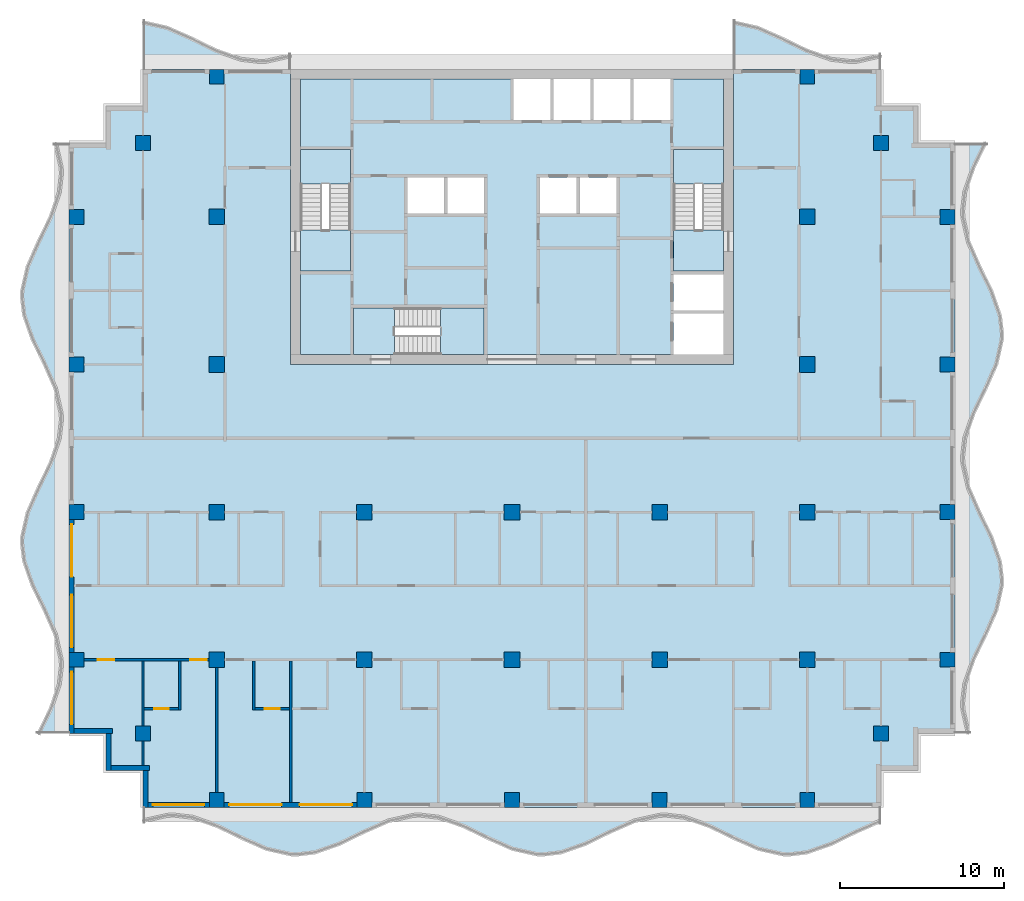
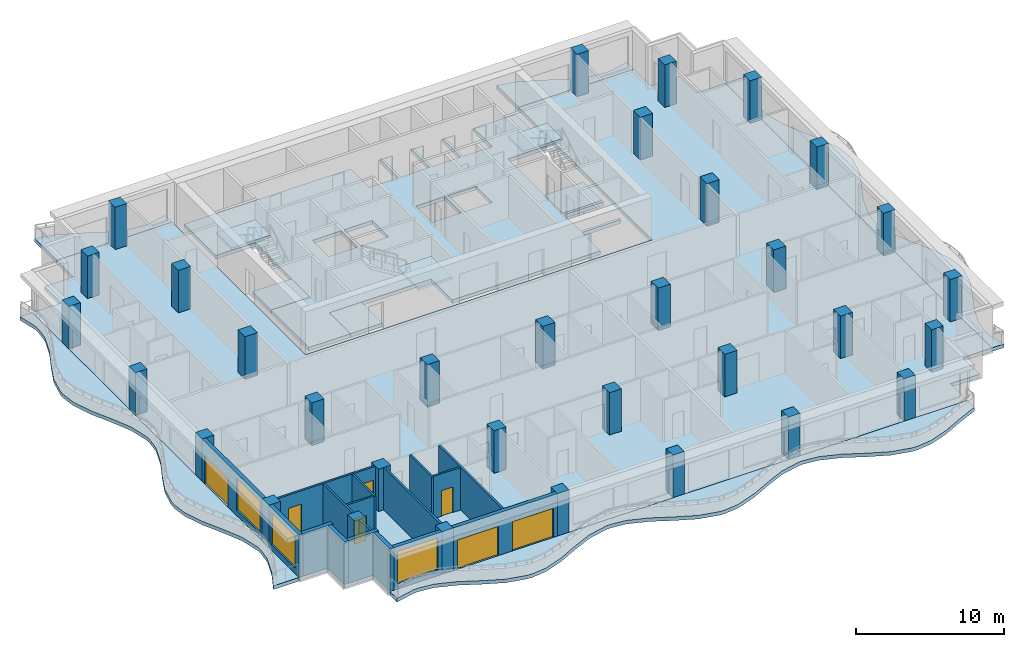
# One storey, part 1 of 11: 33 columns, 17 walls, 13 slabs, 7 doors, 3 windows, 10 openings, 3 elements without a shape of their own.
"""IFC4 building model written with IfcOpenShell, lengths in metres."""

from ifc_helpers import new_model, si_unit, direction, frame, frame_2d, origin, origin_2d, place, context, subcontext, project, spatial, polyline, rectangle, outline, extrude, material, layer, layer_set, material_profile, profile_set, type_object, element, fill, aggregate, save


model = new_model("IFC4")

# Units and contexts
model_context = context("Model", 3, precision=1e-05, world=origin(), true_north=direction((0.0, 1.0)))
body_context = subcontext(model_context, "Body", "Model", "MODEL_VIEW")
ifc_project = project(units=[si_unit("LENGTHUNIT", "METRE"), si_unit("AREAUNIT", "SQUARE_METRE"), si_unit("VOLUMEUNIT", "CUBIC_METRE"), si_unit("PLANEANGLEUNIT", "RADIAN"), si_unit("MASSUNIT", "GRAM", prefix="KILO")], contexts=[model_context])

# Site, building, storey
site_placement = place(None, origin())
site = spatial("IfcSite", under=ifc_project, at=site_placement, CompositionType="ELEMENT")
building_placement = place(site_placement, origin())
building = spatial("IfcBuilding", under=site, at=building_placement, Name="Orbiselva Terraces", CompositionType="ELEMENT")
storey_placement = place(building_placement, frame((0.0, 0.0, 261.6)))
storey = spatial("IfcBuildingStorey", under=building, at=storey_placement, Name="L66", CompositionType="ELEMENT", Elevation=261.6)

# Columns
ifc_material_1 = material(Name="Concrete C50/60", Category="concrete")
ifc_material_profile_1 = material_profile(ifc_material_1, rectangle(XDim=0.95, YDim=0.95, at=origin_2d()), Name="RC 950x950")
ifc_profile_set_1 = profile_set([ifc_material_profile_1], Name="Concrete C50/60")
column_type_1 = type_object("IfcColumnType", Name="COLUMN RC 950x950", PredefinedType="COLUMN", material=ifc_profile_set_1)
for number, where, z_axis, x_axis, name in (
    (1, (-18.0, -13.5, 0.0), (0.0, 0.0, 1.0), (1.0, 0.0, 0.0), "Column L66-01"),
    (2, (-18.0, -4.5, 0.0), (0.0, 0.0, 1.0), (1.0, 0.0, 0.0), "Column L66-03"),
    (3, (-18.0, 13.5, 0.0), (0.0, 0.0, 1.0), (1.0, 0.0, 0.0), "Column L66-04"),
    (4, (-18.0, 4.5, 0.0), (0.0, 0.0, 1.0), (1.0, 0.0, 0.0), "Column L66-06"),
    (5, (-9.0, -13.5, 0.0), (0.0, 0.0, 1.0), (1.0, 0.0, 0.0), "Column L66-13"),
    (6, (-9.0, -4.5, 0.0), (0.0, 0.0, 1.0), (1.0, 0.0, 0.0), "Column L66-15"),
    (7, (0.0, -13.5, 0.0), (0.0, 0.0, 1.0), (1.0, 0.0, 0.0), "Column L66-16"),
    (8, (0.0, -4.5, 0.0), (0.0, 0.0, 1.0), (1.0, 0.0, 0.0), "Column L66-18"),
    (9, (18.0, -13.5, 0.0), (0.0, 0.0, 1.0), (1.0, 0.0, 0.0), "Column L66-19"),
    (10, (18.0, -4.5, 0.0), (0.0, 0.0, 1.0), (1.0, 0.0, 0.0), "Column L66-21"),
    (11, (18.0, 13.5, 0.0), (0.0, 0.0, 1.0), (1.0, 0.0, 0.0), "Column L66-22"),
    (12, (18.0, 4.5, 0.0), (0.0, 0.0, 1.0), (1.0, 0.0, 0.0), "Column L66-24"),
    (13, (9.0, -13.5, 0.0), (0.0, 0.0, 1.0), (1.0, 0.0, 0.0), "Column L66-31"),
    (14, (9.0, -4.5, 0.0), (0.0, 0.0, 1.0), (1.0, 0.0, 0.0), "Column L66-33"),
):
    element("IfcColumn", number, at=place(storey_placement, frame(where, z_axis=z_axis, x_axis=x_axis)), inside=storey, type_object=column_type_1, Name=name, PredefinedType="COLUMN", context=body_context, shape_type="SweptSolid", body=[
        extrude(rectangle(XDim=0.95, YDim=0.95, at=origin_2d()), origin(), (0.0, 0.0, 1.0), 3.5),
    ])
ifc_material_profile_2 = material_profile(ifc_material_1, rectangle(XDim=0.9, YDim=0.9, at=origin_2d()), Name="RC 900x900")
ifc_profile_set_2 = profile_set([ifc_material_profile_2], Name="Concrete C50/60")
column_type_2 = type_object("IfcColumnType", Name="PERIMETER COLUMN RC 900x900", PredefinedType="COLUMN", material=ifc_profile_set_2)
for number, where, z_axis, x_axis, name in (
    (15, (-18.0, -22.05, 0.0), (0.0, 0.0, 1.0), (1.0, 0.0, 0.0), "Column L66-02"),
    (16, (-18.0, 22.05, 0.0), (0.0, 0.0, 1.0), (1.0, 0.0, 0.0), "Column L66-05"),
    (17, (-26.55, -13.5, 0.0), (0.0, 0.0, 1.0), (1.0, 0.0, 0.0), "Column L66-07"),
    (18, (-22.5, -18.0, 0.0), (0.0, 0.0, 1.0), (1.0, 0.0, 0.0), "Column L66-08"),
    (19, (-26.55, -4.5, 0.0), (0.0, 0.0, 1.0), (1.0, 0.0, 0.0), "Column L66-09"),
    (20, (-26.55, 13.5, 0.0), (0.0, 0.0, 1.0), (1.0, 0.0, 0.0), "Column L66-10"),
    (21, (-22.5, 18.0, 0.0), (0.0, 0.0, 1.0), (1.0, 0.0, 0.0), "Column L66-11"),
    (22, (-26.55, 4.5, 0.0), (0.0, 0.0, 1.0), (1.0, 0.0, 0.0), "Column L66-12"),
    (23, (-9.0, -22.05, 0.0), (0.0, 0.0, 1.0), (1.0, 0.0, 0.0), "Column L66-14"),
    (24, (0.0, -22.05, 0.0), (0.0, 0.0, 1.0), (1.0, 0.0, 0.0), "Column L66-17"),
    (25, (18.0, -22.05, 0.0), (0.0, 0.0, 1.0), (1.0, 0.0, 0.0), "Column L66-20"),
    (26, (18.0, 22.05, 0.0), (0.0, 0.0, 1.0), (1.0, 0.0, 0.0), "Column L66-23"),
    (27, (26.55, -13.5, 0.0), (0.0, 0.0, 1.0), (1.0, 0.0, 0.0), "Column L66-25"),
    (28, (22.5, -18.0, 0.0), (0.0, 0.0, 1.0), (1.0, 0.0, 0.0), "Column L66-26"),
    (29, (26.55, -4.5, 0.0), (0.0, 0.0, 1.0), (1.0, 0.0, 0.0), "Column L66-27"),
    (30, (26.55, 13.5, 0.0), (0.0, 0.0, 1.0), (1.0, 0.0, 0.0), "Column L66-28"),
    (31, (22.5, 18.0, 0.0), (0.0, 0.0, 1.0), (1.0, 0.0, 0.0), "Column L66-29"),
    (32, (26.55, 4.5, 0.0), (0.0, 0.0, 1.0), (1.0, 0.0, 0.0), "Column L66-30"),
    (33, (9.0, -22.05, 0.0), (0.0, 0.0, 1.0), (1.0, 0.0, 0.0), "Column L66-32"),
):
    element("IfcColumn", number, at=place(storey_placement, frame(where, z_axis=z_axis, x_axis=x_axis)), inside=storey, type_object=column_type_2, Name=name, PredefinedType="COLUMN", context=body_context, shape_type="SweptSolid", body=[
        extrude(rectangle(XDim=0.9, YDim=0.9, at=origin_2d()), origin(), (0.0, 0.0, 1.0), 3.5),
    ])

# Slabs
ifc_material_2 = material(Name="Concrete C40/50", Category="concrete")
ifc_layer_1 = layer(ifc_material_2, 0.3)
ifc_layer_set_1 = layer_set([ifc_layer_1], Name="Concrete C40/50")
slab_type_1 = type_object("IfcSlabType", Name="CORE-SLAB-FLOOR-300", PredefinedType="FLOOR", material=ifc_layer_set_1)
slab_1_placement = place(storey_placement, frame((0.0, 0.0, -0.3)))
element("IfcSlab", 34, at=slab_1_placement, inside=storey, type_object=slab_type_1, Name="L66 S1 floor landing", PredefinedType="FLOOR", context=body_context, shape_type="SweptSolid", body=[
    extrude(outline(polyline([(-12.9, 12.7), (-9.85, 12.7), (-9.85, 10.2), (-12.9, 10.2), (-12.9, 12.7)])), origin(), (0.0, 0.0, 1.0), 0.3),
])
slab_2_placement = place(storey_placement, frame((0.0, 0.0, -0.3)))
element("IfcSlab", 35, at=slab_2_placement, inside=storey, type_object=slab_type_1, Name="L66 S2 floor landing", PredefinedType="FLOOR", context=body_context, shape_type="SweptSolid", body=[
    extrude(outline(polyline([(12.9, 12.7), (12.9, 10.2), (9.85, 10.2), (9.85, 12.7), (12.9, 12.7)])), origin(), (0.0, 0.0, 1.0), 0.3),
])
slab_3_placement = place(storey_placement, frame((0.0, 0.0, -0.3)))
element("IfcSlab", 36, at=slab_3_placement, inside=storey, type_object=slab_type_1, Name="L66 S3 floor landing", PredefinedType="FLOOR", context=body_context, shape_type="SweptSolid", body=[
    extrude(outline(polyline([(-7.15, 5.1), (-9.65, 5.1), (-9.65, 7.95), (-7.15, 7.95), (-7.15, 5.1)])), origin(), (0.0, 0.0, 1.0), 0.3),
])
slab_4_placement = place(storey_placement, frame((0.0, 0.0, -0.3)))
element("IfcSlab", 37, at=slab_4_placement, inside=storey, type_object=slab_type_1, Name="L66 core floor slab 1", PredefinedType="FLOOR", context=body_context, shape_type="SweptSolid", body=[
    extrude(outline(polyline([(-1.7, 5.1), (-1.7, 7.95), (-9.65, 7.95), (-9.65, 5.1), (-12.9, 5.1), (-12.9, 10.2), (-9.85, 10.2), (-9.85, 17.6), (-12.9, 17.6), (-12.9, 21.9), (0.1, 21.9), (0.1, 19.4), (2.3375, 19.4), (2.3375, 21.9), (2.5375, 21.9), (2.5375, 19.4), (4.775, 19.4), (4.775, 21.9), (4.975, 21.9), (4.975, 19.4), (7.2125, 19.4), (7.2125, 21.9), (7.4125, 21.9), (7.4125, 19.4), (9.65, 19.4), (9.65, 21.9), (12.9, 21.9), (12.9, 17.6), (9.85, 17.6), (9.85, 10.2), (12.9, 10.2), (12.9, 10.0), (9.85, 10.0), (9.85, 7.8), (12.9, 7.8), (12.9, 7.6), (9.85, 7.6), (9.85, 5.1), (-1.7, 5.1)]), holes=[polyline([(-4.1375, 13.7), (-4.1375, 15.9), (-6.375, 15.9), (-6.375, 13.7), (-4.1375, 13.7)]), polyline([(-1.7, 13.7), (-1.7, 15.9), (-3.9375, 15.9), (-3.9375, 13.7), (-1.7, 13.7)]), polyline([(3.9375, 15.9), (1.7, 15.9), (1.7, 13.7), (3.9375, 13.7), (3.9375, 15.9)]), polyline([(6.375, 13.7), (6.375, 15.9), (4.1375, 15.9), (4.1375, 13.7), (6.375, 13.7)])]), origin(), (0.0, 0.0, 1.0), 0.3),
])

# Stair, slab
stair_type_1 = type_object("IfcStairType", Name="CORE-STAIR-1300", PredefinedType="HALF_TURN_STAIR", material=ifc_material_2)
stair_1_placement = place(storey_placement, origin())
stair_1 = element("IfcStair", 38, at=stair_1_placement, inside=storey, type_object=stair_type_1, Name="L66 Exit Stair S1", PredefinedType="HALF_TURN_STAIR")
ifc_layer_2 = layer(ifc_material_2, 0.2)
ifc_layer_set_2 = layer_set([ifc_layer_2], Name="Concrete C40/50")
slab_type_2 = type_object("IfcSlabType", Name="CORE-STAIR-LANDING-200", PredefinedType="LANDING", material=ifc_layer_set_2)
slab_5_placement = place(storey_placement, frame((0.0, 0.0, 1.7)))
slab_5 = element("IfcSlab", 39, at=slab_5_placement, type_object=slab_type_2, Name="S1 landing 1", PredefinedType="LANDING", context=body_context, shape_type="SweptSolid", body=[
    extrude(outline(polyline([(-9.85, 15.5), (-9.85, 17.6), (-12.9, 17.6), (-12.9, 15.5), (-9.85, 15.5)])), origin(), (0.0, 0.0, 1.0), 0.2),
])
aggregate(stair_1, [slab_5])

stair_2_placement = place(storey_placement, origin())
stair_2 = element("IfcStair", 40, at=stair_2_placement, inside=storey, type_object=stair_type_1, Name="L66 Exit Stair S2", PredefinedType="HALF_TURN_STAIR")
slab_6_placement = place(storey_placement, frame((0.0, 0.0, 1.7)))
slab_6 = element("IfcSlab", 41, at=slab_6_placement, type_object=slab_type_2, Name="S2 landing 1", PredefinedType="LANDING", context=body_context, shape_type="SweptSolid", body=[
    extrude(outline(polyline([(12.9, 15.5), (12.9, 17.6), (9.85, 17.6), (9.85, 15.5), (12.9, 15.5)])), origin(), (0.0, 0.0, 1.0), 0.2),
])
aggregate(stair_2, [slab_6])

stair_type_2 = type_object("IfcStairType", Name="CORE-STAIR-1200", PredefinedType="HALF_TURN_STAIR", material=ifc_material_2)
stair_3_placement = place(storey_placement, origin())
stair_3 = element("IfcStair", 42, at=stair_3_placement, inside=storey, type_object=stair_type_2, Name="L66 Exit Stair S3", PredefinedType="HALF_TURN_STAIR")
slab_7_placement = place(storey_placement, frame((0.0, 0.0, 1.7)))
slab_7 = element("IfcSlab", 43, at=slab_7_placement, type_object=slab_type_2, Name="S3 landing 1", PredefinedType="LANDING", context=body_context, shape_type="SweptSolid", body=[
    extrude(outline(polyline([(-4.35, 5.1), (-1.7, 5.1), (-1.7, 7.95), (-4.35, 7.95), (-4.35, 5.1)])), origin(), (0.0, 0.0, 1.0), 0.2),
])
aggregate(stair_3, [slab_7])

# Slabs
ifc_layer_3 = layer(ifc_material_1, 0.3)
ifc_layer_set_3 = layer_set([ifc_layer_3], Name="Concrete C50/60")
slab_type_3 = type_object("IfcSlabType", Name="ENV-BALCONY-SLAB-300", PredefinedType="FLOOR", material=ifc_layer_set_3)
slab_8_placement = place(storey_placement, frame((0.0, 0.0, -0.3)))
element("IfcSlab", 44, at=slab_8_placement, inside=storey, type_object=slab_type_3, Name="Balcony slab L66 S", PredefinedType="FLOOR", context=body_context, shape_type="SweptSolid", body=[
    extrude(outline(polyline([(-22.5, -23.451472), (-21.0, -23.114774), (-20.625, -23.1), (-19.5, -23.230792), (-18.0, -23.755211), (-16.5, -24.487721), (-15.0, -25.148528), (-13.5, -25.485226), (-13.125, -25.5), (-12.0, -25.369208), (-10.5, -24.844789), (-9.0, -24.112279), (-7.5, -23.451472), (-6.0, -23.114774), (-5.625, -23.1), (-4.5, -23.230792), (-3.0, -23.755211), (-1.5, -24.487721), (0.0, -25.148528), (1.5, -25.485226), (1.875, -25.5), (3.0, -25.369208), (4.5, -24.844789), (6.0, -24.112279), (7.5, -23.451472), (9.0, -23.114774), (9.375, -23.1), (10.5, -23.230792), (12.0, -23.755211), (13.5, -24.487721), (15.0, -25.148528), (16.5, -25.485226), (16.875, -25.5), (18.0, -25.369208), (19.5, -24.844789), (21.0, -24.112279), (22.5, -23.451472), (22.5, -22.5), (-22.5, -22.5), (-22.5, -23.451472)])), origin(), (0.0, 0.0, 1.0), 0.3),
])
slab_9_placement = place(storey_placement, frame((0.0, 0.0, -0.3)))
element("IfcSlab", 45, at=slab_9_placement, inside=storey, type_object=slab_type_3, Name="Balcony slab L66 E", PredefinedType="FLOOR", context=body_context, shape_type="SweptSolid", body=[
    extrude(outline(polyline([(27.951472, -18.0), (27.614774, -16.5), (27.6, -16.125), (27.730792, -15.0), (28.255211, -13.5), (28.987721, -12.0), (29.648528, -10.5), (29.985226, -9.0), (30.0, -8.625), (29.869208, -7.5), (29.344789, -6.0), (28.612279, -4.5), (27.951472, -3.0), (27.614774, -1.5), (27.6, -1.125), (27.730792, 0.0), (28.255211, 1.5), (28.987721, 3.0), (29.648528, 4.5), (29.985226, 6.0), (30.0, 6.375), (29.869208, 7.5), (29.344789, 9.0), (28.612279, 10.5), (27.951472, 12.0), (27.614774, 13.5), (27.6, 13.875), (27.730792, 15.0), (28.255211, 16.5), (28.987721, 18.0), (27.0, 18.0), (27.0, -18.0), (27.951472, -18.0)])), origin(), (0.0, 0.0, 1.0), 0.3),
])
slab_10_placement = place(storey_placement, frame((0.0, 0.0, -0.3)))
element("IfcSlab", 46, at=slab_10_placement, inside=storey, type_object=slab_type_3, Name="Balcony slab L66 NE", PredefinedType="FLOOR", context=body_context, shape_type="SweptSolid", body=[
    extrude(outline(polyline([(22.5, 23.451472), (21.0, 23.114774), (20.625, 23.1), (19.5, 23.230792), (18.0, 23.755211), (16.5, 24.487721), (15.0, 25.148528), (13.5, 25.485226), (13.5, 22.5), (22.5, 22.5), (22.5, 23.451472)])), origin(), (0.0, 0.0, 1.0), 0.3),
])
slab_11_placement = place(storey_placement, frame((0.0, 0.0, -0.3)))
element("IfcSlab", 47, at=slab_11_placement, inside=storey, type_object=slab_type_3, Name="Balcony slab L66 NW", PredefinedType="FLOOR", context=body_context, shape_type="SweptSolid", body=[
    extrude(outline(polyline([(-13.5, 23.451472), (-15.0, 23.114774), (-15.375, 23.1), (-16.5, 23.230792), (-18.0, 23.755211), (-19.5, 24.487721), (-21.0, 25.148528), (-22.5, 25.485226), (-22.5, 22.5), (-13.5, 22.5), (-13.5, 23.451472)])), origin(), (0.0, 0.0, 1.0), 0.3),
])
slab_12_placement = place(storey_placement, frame((0.0, 0.0, -0.3)))
element("IfcSlab", 48, at=slab_12_placement, inside=storey, type_object=slab_type_3, Name="Balcony slab L66 W", PredefinedType="FLOOR", context=body_context, shape_type="SweptSolid", body=[
    extrude(outline(polyline([(-27.951472, 18.0), (-27.614774, 16.5), (-27.6, 16.125), (-27.730792, 15.0), (-28.255211, 13.5), (-28.987721, 12.0), (-29.648528, 10.5), (-29.985226, 9.0), (-30.0, 8.625), (-29.869208, 7.5), (-29.344789, 6.0), (-28.612279, 4.5), (-27.951472, 3.0), (-27.614774, 1.5), (-27.6, 1.125), (-27.730792, 0.0), (-28.255211, -1.5), (-28.987721, -3.0), (-29.648528, -4.5), (-29.985226, -6.0), (-30.0, -6.375), (-29.869208, -7.5), (-29.344789, -9.0), (-28.612279, -10.5), (-27.951472, -12.0), (-27.614774, -13.5), (-27.6, -13.875), (-27.730792, -15.0), (-28.255211, -16.5), (-28.987721, -18.0), (-27.0, -18.0), (-27.0, 18.0), (-27.951472, 18.0)])), origin(), (0.0, 0.0, 1.0), 0.3),
])
ifc_layer_4 = layer(ifc_material_1, 0.3)
ifc_layer_set_4 = layer_set([ifc_layer_4], Name="Concrete C50/60")
slab_type_4 = type_object("IfcSlabType", Name="FLOOR SLAB 300", PredefinedType="FLOOR", material=ifc_layer_set_4)
slab_13_placement = place(storey_placement, frame((0.0, 0.0, -0.3)))
element("IfcSlab", 49, at=slab_13_placement, inside=storey, type_object=slab_type_4, Name="Floor slab L66", PredefinedType="FLOOR", context=body_context, shape_type="SweptSolid", body=[
    extrude(outline(polyline([(22.5, 22.5), (22.5, 20.25), (24.75, 20.25), (24.75, 18.0), (27.0, 18.0), (27.0, -18.0), (24.75, -18.0), (24.75, -20.25), (22.5, -20.25), (22.5, -22.5), (-22.5, -22.5), (-22.5, -20.25), (-24.75, -20.25), (-24.75, -18.0), (-27.0, -18.0), (-27.0, 18.0), (-24.75, 18.0), (-24.75, 20.25), (-22.5, 20.25), (-22.5, 22.5), (-13.5, 22.5), (-13.5, 4.5), (13.5, 4.5), (13.5, 22.5), (22.5, 22.5)])), origin(), (0.0, 0.0, 1.0), 0.3),
])

# Wall, opening, window
ifc_material_3 = material(Name="Terracotta cladding on masonry backing", Category="masonry")
ifc_layer_5 = layer(ifc_material_3, 0.3)
ifc_layer_set_5 = layer_set([ifc_layer_5], Name="Terracotta cladding on masonry backing")
wall_type_1 = type_object("IfcWallType", Name="ENV-WALL-TERRACOTTA-300", PredefinedType="SOLIDWALL", material=ifc_layer_set_5)
wall_1_placement = place(storey_placement, frame((-18.45, -22.35, 0.0), z_axis=(0.0, 0.0, 1.0), x_axis=(-1.0, 0.0, 0.0)))
wall_1 = element("IfcWall", 50, at=wall_1_placement, inside=storey, type_object=wall_type_1, Name="Facade wall L66 S", PredefinedType="SOLIDWALL", context=body_context, shape_type="SweptSolid", body=[
    extrude(rectangle(XDim=3.75, YDim=0.3, at=frame_2d((1.875, 0.0))), origin(), (0.0, 0.0, 1.0), 3.5),
])
opening_1_placement = place(wall_1_placement, frame((0.3, 0.0, 0.45)))
opening_1 = element("IfcOpeningElement", 51, at=opening_1_placement, cuts=wall_1, Name="Opening WN16", PredefinedType="OPENING", context=body_context, shape_type="SweptSolid", body=[
    extrude(rectangle(XDim=3.15, YDim=2.65, at=frame_2d((1.575, 1.325))), frame((0.0, 0.16, 0.0), z_axis=(0.0, -1.0, 0.0), x_axis=(1.0, 0.0, 0.0)), (0.0, 0.0, 1.0), 0.32),
])
ifc_material_4 = material(Name="Clear low-e glazing in aluminium frame", Category="aluminium")
window_type_1 = type_object("IfcWindowType", Name="WINDOW 3150 X 2650 S450", PartitioningType="TRIPLE_PANEL_VERTICAL", PredefinedType="WINDOW", material=ifc_material_4)
window_1_placement = place(opening_1_placement, origin())
window_1 = element("IfcWindow", 52, at=window_1_placement, inside=storey, type_object=window_type_1, Name="Window L66 S", OverallHeight=2.65, OverallWidth=3.15, PartitioningType="SINGLE_PANEL", PredefinedType="WINDOW", context=body_context, shape_type="SweptSolid", body=[
    extrude(rectangle(XDim=3.15, YDim=2.65, at=frame_2d((1.575, 1.325))), frame((0.0, 0.03, 0.0), z_axis=(0.0, -1.0, 0.0), x_axis=(1.0, 0.0, 0.0)), (0.0, 0.0, 1.0), 0.06),
])
fill(opening_1, window_1)

# Wall, openings, doors
wall_2_placement = place(storey_placement, frame((-9.45, -22.35, 0.0), z_axis=(0.0, 0.0, 1.0), x_axis=(-1.0, 0.0, 0.0)))
wall_2 = element("IfcWall", 53, at=wall_2_placement, inside=storey, type_object=wall_type_1, Name="Facade wall L66 S", PredefinedType="SOLIDWALL", context=body_context, shape_type="SweptSolid", body=[
    extrude(rectangle(XDim=8.1, YDim=0.3, at=frame_2d((4.05, 0.0))), origin(), (0.0, 0.0, 1.0), 3.5),
])
opening_2_placement = place(wall_2_placement, frame((4.6, 0.0, 0.0)))
opening_2 = element("IfcOpeningElement", 54, at=opening_2_placement, cuts=wall_2, Name="Opening Z5-C-E01", PredefinedType="OPENING", context=body_context, shape_type="SweptSolid", body=[
    extrude(rectangle(XDim=3.2, YDim=2.4, at=frame_2d((1.6, 1.2))), frame((0.0, 0.16, 0.0), z_axis=(0.0, -1.0, 0.0), x_axis=(1.0, 0.0, 0.0)), (0.0, 0.0, 1.0), 0.32),
])
opening_3_placement = place(wall_2_placement, frame((0.3, 0.0, 0.0)))
opening_3 = element("IfcOpeningElement", 55, at=opening_3_placement, cuts=wall_2, Name="Opening Z5-C-E02", PredefinedType="OPENING", context=body_context, shape_type="SweptSolid", body=[
    extrude(rectangle(XDim=3.2, YDim=2.4, at=frame_2d((1.6, 1.2))), frame((0.0, 0.16, 0.0), z_axis=(0.0, -1.0, 0.0), x_axis=(1.0, 0.0, 0.0)), (0.0, 0.0, 1.0), 0.32),
])
door_type_1 = type_object("IfcDoorType", Name="BALCONY DOOR 3200 X 2400", OperationType="DOUBLE_DOOR_SLIDING", PredefinedType="DOOR", material=ifc_material_4)
door_1_placement = place(opening_2_placement, origin())
door_1 = element("IfcDoor", 56, at=door_1_placement, inside=storey, type_object=door_type_1, Name="Z5-C-E01", OperationType="SINGLE_SWING_LEFT", OverallHeight=2.4, OverallWidth=3.2, PredefinedType="DOOR", context=body_context, shape_type="SweptSolid", body=[
    extrude(rectangle(XDim=3.2, YDim=2.4, at=frame_2d((1.6, 1.2))), frame((0.0, 0.025, 0.0), z_axis=(0.0, -1.0, 0.0), x_axis=(1.0, 0.0, 0.0)), (0.0, 0.0, 1.0), 0.05),
])
fill(opening_2, door_1)
door_2_placement = place(opening_3_placement, origin())
door_2 = element("IfcDoor", 57, at=door_2_placement, inside=storey, type_object=door_type_1, Name="Z5-C-E02", OperationType="SINGLE_SWING_LEFT", OverallHeight=2.4, OverallWidth=3.2, PredefinedType="DOOR", context=body_context, shape_type="SweptSolid", body=[
    extrude(rectangle(XDim=3.2, YDim=2.4, at=frame_2d((1.6, 1.2))), frame((0.0, 0.025, 0.0), z_axis=(0.0, -1.0, 0.0), x_axis=(1.0, 0.0, 0.0)), (0.0, 0.0, 1.0), 0.05),
])
fill(opening_3, door_2)

# Wall, openings, door, window
wall_3_placement = place(storey_placement, frame((-26.85, -13.05, 0.0), z_axis=(0.0, 0.0, 1.0), x_axis=(0.0, 1.0, 0.0)))
wall_3 = element("IfcWall", 58, at=wall_3_placement, inside=storey, type_object=wall_type_1, Name="Facade wall L66 W", PredefinedType="SOLIDWALL", context=body_context, shape_type="SweptSolid", body=[
    extrude(rectangle(XDim=8.1, YDim=0.3, at=frame_2d((4.05, 0.0))), origin(), (0.0, 0.0, 1.0), 3.5),
])
opening_4_placement = place(wall_3_placement, frame((4.6, 0.0, 0.0)))
opening_4 = element("IfcOpeningElement", 59, at=opening_4_placement, cuts=wall_3, Name="Opening Z5-C-E12", PredefinedType="OPENING", context=body_context, shape_type="SweptSolid", body=[
    extrude(rectangle(XDim=3.2, YDim=2.4, at=frame_2d((1.6, 1.2))), frame((0.0, 0.16, 0.0), z_axis=(0.0, -1.0, 0.0), x_axis=(1.0, 0.0, 0.0)), (0.0, 0.0, 1.0), 0.32),
])
opening_5_placement = place(wall_3_placement, frame((0.3, 0.0, 0.45)))
opening_5 = element("IfcOpeningElement", 60, at=opening_5_placement, cuts=wall_3, Name="Opening WN17", PredefinedType="OPENING", context=body_context, shape_type="SweptSolid", body=[
    extrude(rectangle(XDim=3.2, YDim=2.65, at=frame_2d((1.6, 1.325))), frame((0.0, 0.16, 0.0), z_axis=(0.0, -1.0, 0.0), x_axis=(1.0, 0.0, 0.0)), (0.0, 0.0, 1.0), 0.32),
])
door_3_placement = place(opening_4_placement, origin())
door_3 = element("IfcDoor", 61, at=door_3_placement, inside=storey, type_object=door_type_1, Name="Z5-C-E12", OperationType="SINGLE_SWING_LEFT", OverallHeight=2.4, OverallWidth=3.2, PredefinedType="DOOR", context=body_context, shape_type="SweptSolid", body=[
    extrude(rectangle(XDim=3.2, YDim=2.4, at=frame_2d((1.6, 1.2))), frame((0.0, 0.025, 0.0), z_axis=(0.0, -1.0, 0.0), x_axis=(1.0, 0.0, 0.0)), (0.0, 0.0, 1.0), 0.05),
])
fill(opening_4, door_3)
window_type_2 = type_object("IfcWindowType", Name="WINDOW 3200 X 2650 S450", PartitioningType="TRIPLE_PANEL_VERTICAL", PredefinedType="WINDOW", material=ifc_material_4)
window_2_placement = place(opening_5_placement, origin())
window_2 = element("IfcWindow", 62, at=window_2_placement, inside=storey, type_object=window_type_2, Name="Window L66 W", OverallHeight=2.65, OverallWidth=3.2, PartitioningType="SINGLE_PANEL", PredefinedType="WINDOW", context=body_context, shape_type="SweptSolid", body=[
    extrude(rectangle(XDim=3.2, YDim=2.65, at=frame_2d((1.6, 1.325))), frame((0.0, 0.03, 0.0), z_axis=(0.0, -1.0, 0.0), x_axis=(1.0, 0.0, 0.0)), (0.0, 0.0, 1.0), 0.06),
])
fill(opening_5, window_2)

# Wall, opening, window
wall_4_placement = place(storey_placement, frame((-26.85, -18.0, 0.0), z_axis=(0.0, 0.0, 1.0), x_axis=(0.0, 1.0, 0.0)))
wall_4 = element("IfcWall", 63, at=wall_4_placement, inside=storey, type_object=wall_type_1, Name="Facade wall L66 W", PredefinedType="SOLIDWALL", context=body_context, shape_type="SweptSolid", body=[
    extrude(rectangle(XDim=4.05, YDim=0.3, at=frame_2d((2.025, 0.0))), origin(), (0.0, 0.0, 1.0), 3.5),
])
opening_6_placement = place(wall_4_placement, frame((0.55, 0.0, 0.45)))
opening_6 = element("IfcOpeningElement", 64, at=opening_6_placement, cuts=wall_4, Name="Opening WN17", PredefinedType="OPENING", context=body_context, shape_type="SweptSolid", body=[
    extrude(rectangle(XDim=3.2, YDim=2.65, at=frame_2d((1.6, 1.325))), frame((0.0, 0.16, 0.0), z_axis=(0.0, -1.0, 0.0), x_axis=(1.0, 0.0, 0.0)), (0.0, 0.0, 1.0), 0.32),
])
window_3_placement = place(opening_6_placement, origin())
window_3 = element("IfcWindow", 65, at=window_3_placement, inside=storey, type_object=window_type_2, Name="Window L66 W", OverallHeight=2.65, OverallWidth=3.2, PartitioningType="SINGLE_PANEL", PredefinedType="WINDOW", context=body_context, shape_type="SweptSolid", body=[
    extrude(rectangle(XDim=3.2, YDim=2.65, at=frame_2d((1.6, 1.325))), frame((0.0, 0.03, 0.0), z_axis=(0.0, -1.0, 0.0), x_axis=(1.0, 0.0, 0.0)), (0.0, 0.0, 1.0), 0.06),
])
fill(opening_6, window_3)

# Walls
wall_5_placement = place(storey_placement, frame((-24.35, -17.85, 0.0), z_axis=(0.0, 0.0, 1.0), x_axis=(-1.0, 0.0, 0.0)))
element("IfcWall", 66, at=wall_5_placement, inside=storey, type_object=wall_type_1, Name="Facade wall L66 STEP", PredefinedType="SOLIDWALL", context=body_context, shape_type="SweptSolid", body=[
    extrude(rectangle(XDim=2.35, YDim=0.3, at=frame_2d((1.175, 0.0))), origin(), (0.0, 0.0, 1.0), 3.5),
])
wall_6_placement = place(storey_placement, frame((-24.6, -20.25, 0.0), z_axis=(0.0, 0.0, 1.0), x_axis=(0.0, 1.0, 0.0)))
element("IfcWall", 67, at=wall_6_placement, inside=storey, type_object=wall_type_1, Name="Facade wall L66 STEP", PredefinedType="SOLIDWALL", context=body_context, shape_type="SweptSolid", body=[
    extrude(rectangle(XDim=2.25, YDim=0.3, at=frame_2d((1.125, 0.0))), origin(), (0.0, 0.0, 1.0), 3.5),
])
wall_7_placement = place(storey_placement, frame((-22.1, -20.1, 0.0), z_axis=(0.0, 0.0, 1.0), x_axis=(-1.0, 0.0, 0.0)))
element("IfcWall", 68, at=wall_7_placement, inside=storey, type_object=wall_type_1, Name="Facade wall L66 STEP", PredefinedType="SOLIDWALL", context=body_context, shape_type="SweptSolid", body=[
    extrude(rectangle(XDim=2.35, YDim=0.3, at=frame_2d((1.175, 0.0))), origin(), (0.0, 0.0, 1.0), 3.5),
])
wall_8_placement = place(storey_placement, frame((-22.35, -22.5, 0.0), z_axis=(0.0, 0.0, 1.0), x_axis=(0.0, 1.0, 0.0)))
element("IfcWall", 69, at=wall_8_placement, inside=storey, type_object=wall_type_1, Name="Facade wall L66 STEP", PredefinedType="SOLIDWALL", context=body_context, shape_type="SweptSolid", body=[
    extrude(rectangle(XDim=2.25, YDim=0.3, at=frame_2d((1.125, 0.0))), origin(), (0.0, 0.0, 1.0), 3.5),
])

# Wall, opening, door
ifc_material_5 = material(Name="Plasterboard on steel stud partition", Category="steel")
ifc_layer_6 = layer(ifc_material_5, 0.15)
ifc_layer_set_6 = layer_set([ifc_layer_6], Name="Plasterboard on steel stud partition")
wall_type_2 = type_object("IfcWallType", Name="UNIT-PARTITION-150", PredefinedType="PARTITIONING", material=ifc_layer_set_6)
wall_9_placement = place(storey_placement, frame((-22.425, -16.5, 0.0), z_axis=(0.0, 0.0, 1.0), x_axis=(1.0, 0.0, 0.0)))
wall_9 = element("IfcWall", 70, at=wall_9_placement, inside=storey, type_object=wall_type_2, Name="PARTITION L66-001", PredefinedType="PARTITIONING", context=body_context, shape_type="SweptSolid", body=[
    extrude(rectangle(XDim=2.1, YDim=0.15, at=frame_2d((1.05, 0.0))), origin(), (0.0, 0.0, 1.0), 3.5),
])
opening_7_placement = place(wall_9_placement, frame((0.6, 0.0, 0.0)))
opening_7 = element("IfcOpeningElement", 71, at=opening_7_placement, cuts=wall_9, Name="Opening Z5-C-35", PredefinedType="OPENING", context=body_context, shape_type="SweptSolid", body=[
    extrude(rectangle(XDim=0.9, YDim=2.1, at=frame_2d((0.45, 1.05))), frame((0.0, 0.085, 0.0), z_axis=(0.0, -1.0, 0.0), x_axis=(1.0, 0.0, 0.0)), (0.0, 0.0, 1.0), 0.17),
])
ifc_material_6 = material(Name="Painted timber door leaf", Category="wood")
door_type_2 = type_object("IfcDoorType", Name="BATH DOOR 900", OperationType="NOTDEFINED", PredefinedType="DOOR", material=ifc_material_6)
door_4_placement = place(opening_7_placement, origin())
door_4 = element("IfcDoor", 72, at=door_4_placement, inside=storey, type_object=door_type_2, Name="Z5-C-35", OperationType="SINGLE_SWING_LEFT", OverallHeight=2.1, OverallWidth=0.9, PredefinedType="DOOR", context=body_context, shape_type="SweptSolid", body=[
    extrude(rectangle(XDim=0.9, YDim=2.1, at=frame_2d((0.45, 1.05))), frame((0.0, 0.025, 0.0), z_axis=(0.0, -1.0, 0.0), x_axis=(1.0, 0.0, 0.0)), (0.0, 0.0, 1.0), 0.05),
])
fill(opening_7, door_4)

wall_10_placement = place(storey_placement, frame((-15.675, -16.5, 0.0), z_axis=(0.0, 0.0, 1.0), x_axis=(1.0, 0.0, 0.0)))
wall_10 = element("IfcWall", 73, at=wall_10_placement, inside=storey, type_object=wall_type_2, Name="PARTITION L66-002", PredefinedType="PARTITIONING", context=body_context, shape_type="SweptSolid", body=[
    extrude(rectangle(XDim=2.1, YDim=0.15, at=frame_2d((1.05, 0.0))), origin(), (0.0, 0.0, 1.0), 3.5),
])
opening_8_placement = place(wall_10_placement, frame((0.6, 0.0, 0.0)))
opening_8 = element("IfcOpeningElement", 74, at=opening_8_placement, cuts=wall_10, Name="Opening Z5-C-33", PredefinedType="OPENING", context=body_context, shape_type="SweptSolid", body=[
    extrude(rectangle(XDim=0.9, YDim=2.1, at=frame_2d((0.45, 1.05))), frame((0.0, 0.085, 0.0), z_axis=(0.0, -1.0, 0.0), x_axis=(1.0, 0.0, 0.0)), (0.0, 0.0, 1.0), 0.17),
])
door_5_placement = place(opening_8_placement, origin())
door_5 = element("IfcDoor", 75, at=door_5_placement, inside=storey, type_object=door_type_2, Name="Z5-C-33", OperationType="SINGLE_SWING_LEFT", OverallHeight=2.1, OverallWidth=0.9, PredefinedType="DOOR", context=body_context, shape_type="SweptSolid", body=[
    extrude(rectangle(XDim=0.9, YDim=2.1, at=frame_2d((0.45, 1.05))), frame((0.0, 0.025, 0.0), z_axis=(0.0, -1.0, 0.0), x_axis=(1.0, 0.0, 0.0)), (0.0, 0.0, 1.0), 0.05),
])
fill(opening_8, door_5)

# Wall, openings, doors
wall_11_placement = place(storey_placement, frame((-18.475, -13.5, 0.0), z_axis=(0.0, 0.0, 1.0), x_axis=(-1.0, 0.0, 0.0)))
wall_11 = element("IfcWall", 76, at=wall_11_placement, inside=storey, type_object=wall_type_2, Name="PARTITION L66-009", PredefinedType="PARTITIONING", context=body_context, shape_type="SweptSolid", body=[
    extrude(rectangle(XDim=7.625, YDim=0.15, at=frame_2d((3.8125, 0.0))), origin(), (0.0, 0.0, 1.0), 3.5),
])
opening_9_placement = place(wall_11_placement, frame((0.15, 0.0, 0.0)))
opening_9 = element("IfcOpeningElement", 77, at=opening_9_placement, cuts=wall_11, Name="Opening Z5-C-34", PredefinedType="OPENING", context=body_context, shape_type="SweptSolid", body=[
    extrude(rectangle(XDim=1.0, YDim=2.4, at=frame_2d((0.5, 1.2))), frame((0.0, 0.085, 0.0), z_axis=(0.0, -1.0, 0.0), x_axis=(1.0, 0.0, 0.0)), (0.0, 0.0, 1.0), 0.17),
])
opening_10_placement = place(wall_11_placement, frame((5.775, 0.0, 0.0)))
opening_10 = element("IfcOpeningElement", 78, at=opening_10_placement, cuts=wall_11, Name="Opening Z5-C-36", PredefinedType="OPENING", context=body_context, shape_type="SweptSolid", body=[
    extrude(rectangle(XDim=1.0, YDim=2.4, at=frame_2d((0.5, 1.2))), frame((0.0, 0.085, 0.0), z_axis=(0.0, -1.0, 0.0), x_axis=(1.0, 0.0, 0.0)), (0.0, 0.0, 1.0), 0.17),
])
door_type_3 = type_object("IfcDoorType", Name="ROOM DOOR 1000", OperationType="NOTDEFINED", PredefinedType="DOOR", material=ifc_material_6)
door_6_placement = place(opening_9_placement, origin())
door_6 = element("IfcDoor", 79, at=door_6_placement, inside=storey, type_object=door_type_3, Name="Z5-C-34", OperationType="SINGLE_SWING_LEFT", OverallHeight=2.4, OverallWidth=1.0, PredefinedType="DOOR", context=body_context, shape_type="SweptSolid", body=[
    extrude(rectangle(XDim=1.0, YDim=2.4, at=frame_2d((0.5, 1.2))), frame((0.0, 0.025, 0.0), z_axis=(0.0, -1.0, 0.0), x_axis=(1.0, 0.0, 0.0)), (0.0, 0.0, 1.0), 0.05),
])
fill(opening_9, door_6)
door_7_placement = place(opening_10_placement, origin())
door_7 = element("IfcDoor", 80, at=door_7_placement, inside=storey, type_object=door_type_3, Name="Z5-C-36", OperationType="SINGLE_SWING_RIGHT", OverallHeight=2.4, OverallWidth=1.0, PredefinedType="DOOR", context=body_context, shape_type="SweptSolid", body=[
    extrude(rectangle(XDim=1.0, YDim=2.4, at=frame_2d((0.5, 1.2))), frame((0.0, 0.025, 0.0), z_axis=(0.0, -1.0, 0.0), x_axis=(1.0, 0.0, 0.0)), (0.0, 0.0, 1.0), 0.05),
])
fill(opening_10, door_7)

# Walls
wall_12_placement = place(storey_placement, frame((-22.5, -19.95, 0.0), z_axis=(0.0, 0.0, 1.0), x_axis=(0.0, 1.0, 0.0)))
element("IfcWall", 81, at=wall_12_placement, inside=storey, type_object=wall_type_2, Name="PARTITION L66-045", PredefinedType="PARTITIONING", context=body_context, shape_type="SweptSolid", body=[
    extrude(rectangle(XDim=1.5, YDim=0.15, at=frame_2d((0.75, 0.0))), origin(), (0.0, 0.0, 1.0), 3.5),
])
wall_13_placement = place(storey_placement, frame((-22.5, -17.55, 0.0), z_axis=(0.0, 0.0, 1.0), x_axis=(0.0, 1.0, 0.0)))
element("IfcWall", 82, at=wall_13_placement, inside=storey, type_object=wall_type_2, Name="PARTITION L66-046", PredefinedType="PARTITIONING", context=body_context, shape_type="SweptSolid", body=[
    extrude(rectangle(XDim=3.975, YDim=0.15, at=frame_2d((1.9875, 0.0))), origin(), (0.0, 0.0, 1.0), 3.5),
])
wall_14_placement = place(storey_placement, frame((-20.25, -16.575, 0.0), z_axis=(0.0, 0.0, 1.0), x_axis=(0.0, 1.0, 0.0)))
element("IfcWall", 83, at=wall_14_placement, inside=storey, type_object=wall_type_2, Name="PARTITION L66-050", PredefinedType="PARTITIONING", context=body_context, shape_type="SweptSolid", body=[
    extrude(rectangle(XDim=3.0, YDim=0.15, at=frame_2d((1.5, 0.0))), origin(), (0.0, 0.0, 1.0), 3.5),
])
wall_15_placement = place(storey_placement, frame((-18.0, -21.6, 0.0), z_axis=(0.0, 0.0, 1.0), x_axis=(0.0, 1.0, 0.0)))
element("IfcWall", 84, at=wall_15_placement, inside=storey, type_object=wall_type_2, Name="PARTITION L66-052", PredefinedType="PARTITIONING", context=body_context, shape_type="SweptSolid", body=[
    extrude(rectangle(XDim=7.625, YDim=0.15, at=frame_2d((3.8125, 0.0))), origin(), (0.0, 0.0, 1.0), 3.5),
])
wall_16_placement = place(storey_placement, frame((-15.75, -16.575, 0.0), z_axis=(0.0, 0.0, 1.0), x_axis=(0.0, 1.0, 0.0)))
element("IfcWall", 85, at=wall_16_placement, inside=storey, type_object=wall_type_2, Name="PARTITION L66-058", PredefinedType="PARTITIONING", context=body_context, shape_type="SweptSolid", body=[
    extrude(rectangle(XDim=3.0, YDim=0.15, at=frame_2d((1.5, 0.0))), origin(), (0.0, 0.0, 1.0), 3.5),
])
wall_17_placement = place(storey_placement, frame((-13.5, -22.2, 0.0), z_axis=(0.0, 0.0, 1.0), x_axis=(0.0, 1.0, 0.0)))
element("IfcWall", 86, at=wall_17_placement, inside=storey, type_object=wall_type_2, Name="PARTITION L66-060", PredefinedType="PARTITIONING", context=body_context, shape_type="SweptSolid", body=[
    extrude(rectangle(XDim=8.625, YDim=0.15, at=frame_2d((4.3125, 0.0))), origin(), (0.0, 0.0, 1.0), 3.5),
])

save(model, "model.ifc")
